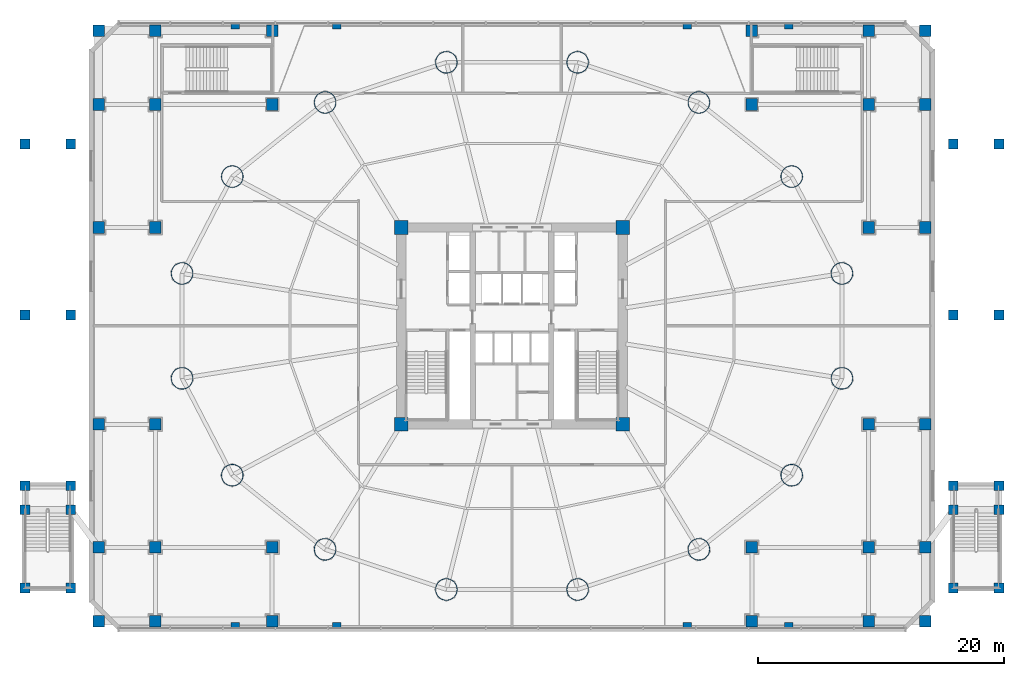
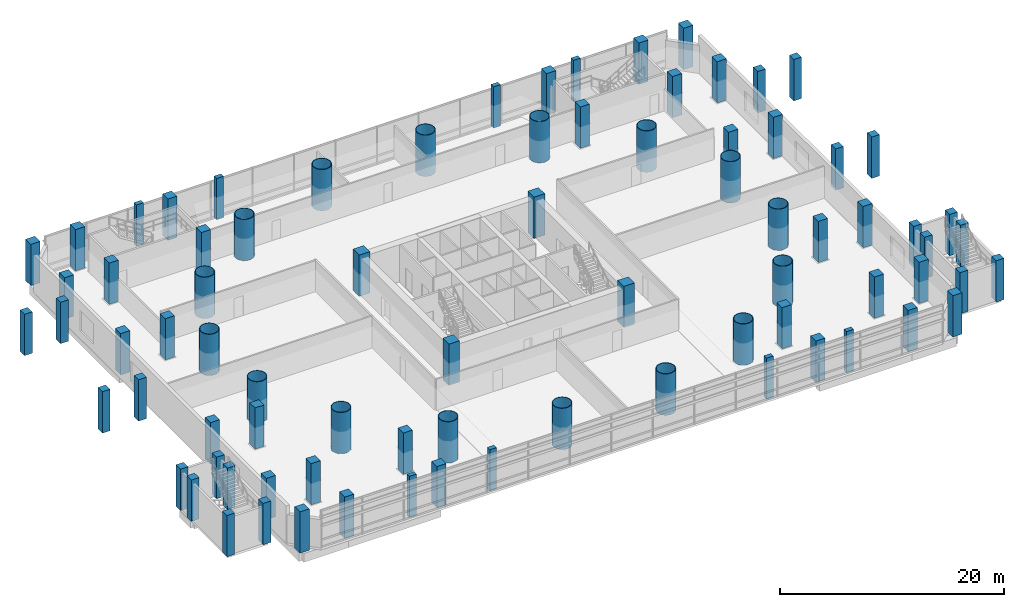
# One storey, part 1 of 36: 80 columns.
"""IFC4 building model written with IfcOpenShell, lengths in metres."""

from ifc_helpers import new_model, si_unit, direction, frame, origin, origin_2d, place, context, subcontext, project, spatial, rectangle, hollow_circle, extrude, material, material_profile, profile_set, type_object, element, save


model = new_model("IFC4")

# Units and contexts
model_context = context("Model", 3, precision=1e-05, world=origin(), true_north=direction((-0.2419218956, 0.970295726276)))
body_context = subcontext(model_context, "Body", "Model", "MODEL_VIEW")
ifc_project = project(units=[si_unit("LENGTHUNIT", "METRE"), si_unit("AREAUNIT", "SQUARE_METRE"), si_unit("VOLUMEUNIT", "CUBIC_METRE"), si_unit("PLANEANGLEUNIT", "RADIAN"), si_unit("MASSUNIT", "GRAM", prefix="KILO")], contexts=[model_context])

# Site, building, storey
site_placement = place(None, origin())
site = spatial("IfcSite", under=ifc_project, at=site_placement, CompositionType="ELEMENT")
building_placement = place(site_placement, origin())
building = spatial("IfcBuilding", under=site, at=building_placement, Name="Cobrevalo Terracotta Tower", CompositionType="ELEMENT")
storey_placement = place(building_placement, frame((0.0, 0.0, 14.39990234375)))
storey = spatial("IfcBuildingStorey", under=building, at=storey_placement, Name="L03", CompositionType="ELEMENT", Elevation=14.39990234375)

# Columns
ifc_material_1 = material(Name="Steel S355", Category="steel")
ifc_material_profile_1 = material_profile(ifc_material_1, hollow_circle(Radius=0.89990234375, WallThickness=0.054931640625, at=origin_2d()), Name="CHS 1800x55")
ifc_profile_set_1 = profile_set([ifc_material_profile_1], Name="Steel S355")
column_type_1 = type_object("IfcColumnType", Name="Structural Column CHS 1800x55 (Steel S355)", PredefinedType="COLUMN", material=ifc_profile_set_1)
for number, where, z_axis, x_axis, name in (
    (1, (64.824462890625, 31.062744140625, 0.0), (0.0, 0.0, 1.0), (1.0, 0.0, 0.0), "L03 composite megacolumn MC01"),
    (2, (60.74072265625, 38.939208984375, 0.0), (0.0, 0.0, 1.0), (1.0, 0.0, 0.0), "L03 composite megacolumn MC02"),
    (3, (53.19482421875, 44.967529296875, 0.0), (0.0, 0.0, 1.0), (1.0, 0.0, 0.0), "L03 composite megacolumn MC03"),
    (4, (43.335693359375, 48.230224609375, 0.0), (0.0, 0.0, 1.0), (1.0, 0.0, 0.0), "L03 composite megacolumn MC04"),
    (5, (32.664306640625, 48.230224609375, 0.0), (0.0, 0.0, 1.0), (1.0, 0.0, 0.0), "L03 composite megacolumn MC05"),
    (6, (22.80517578125, 44.967529296875, 0.0), (0.0, 0.0, 1.0), (1.0, 0.0, 0.0), "L03 composite megacolumn MC06"),
    (7, (15.25927734375, 38.939208984375, 0.0), (0.0, 0.0, 1.0), (1.0, 0.0, 0.0), "L03 composite megacolumn MC07"),
    (8, (11.175537109375, 31.062744140625, 0.0), (0.0, 0.0, 1.0), (1.0, 0.0, 0.0), "L03 composite megacolumn MC08"),
    (9, (11.175537109375, 22.537353515625, 0.0), (0.0, 0.0, 1.0), (1.0, 0.0, 0.0), "L03 composite megacolumn MC09"),
    (10, (15.25927734375, 14.660888671875, 0.0), (0.0, 0.0, 1.0), (1.0, 0.0, 0.0), "L03 composite megacolumn MC10"),
    (11, (22.80517578125, 8.63232421875, 0.0), (0.0, 0.0, 1.0), (1.0, 0.0, 0.0), "L03 composite megacolumn MC11"),
    (12, (32.664306640625, 5.369873046875, 0.0), (0.0, 0.0, 1.0), (1.0, 0.0, 0.0), "L03 composite megacolumn MC12"),
    (13, (43.335693359375, 5.369873046875, 0.0), (0.0, 0.0, 1.0), (1.0, 0.0, 0.0), "L03 composite megacolumn MC13"),
    (14, (53.19482421875, 8.63232421875, 0.0), (0.0, 0.0, 1.0), (1.0, 0.0, 0.0), "L03 composite megacolumn MC14"),
    (15, (60.74072265625, 14.660888671875, 0.0), (0.0, 0.0, 1.0), (1.0, 0.0, 0.0), "L03 composite megacolumn MC15"),
    (16, (64.824462890625, 22.537353515625, 0.0), (0.0, 0.0, 1.0), (1.0, 0.0, 0.0), "L03 composite megacolumn MC16"),
):
    element("IfcColumn", number, at=place(storey_placement, frame(where, z_axis=z_axis, x_axis=x_axis)), inside=storey, type_object=column_type_1, Name=name, PredefinedType="COLUMN", context=body_context, shape_type="SweptSolid", body=[
        extrude(hollow_circle(Radius=0.89990234375, WallThickness=0.054931640625, at=origin_2d()), origin(), (0.0, 0.0, 1.0), 4.5),
    ])
ifc_material_2 = material(Name="Concrete C60", Category="concrete")
ifc_material_profile_2 = material_profile(ifc_material_2, rectangle(XDim=1.10009765625, YDim=1.10009765625, at=origin_2d()), Name="RC COL 1100x1100")
ifc_profile_set_2 = profile_set([ifc_material_profile_2], Name="Concrete C60")
column_type_2 = type_object("IfcColumnType", Name="Structural Column RC COL 1100x1100 (Concrete C60)", PredefinedType="COLUMN", material=ifc_profile_set_2)
for number, where, z_axis, x_axis, name in (
    (17, (29.0, 18.800048828125, 0.0), (0.0, 0.0, 1.0), (1.0, 0.0, 0.0), "L03 core corner column CC1"),
    (18, (47.0, 18.800048828125, 0.0), (0.0, 0.0, 1.0), (1.0, 0.0, 0.0), "L03 core corner column CC2"),
    (19, (47.0, 34.800048828125, 0.0), (0.0, 0.0, 1.0), (1.0, 0.0, 0.0), "L03 core corner column CC3"),
    (20, (29.0, 34.800048828125, 0.0), (0.0, 0.0, 1.0), (1.0, 0.0, 0.0), "L03 core corner column CC4"),
):
    element("IfcColumn", number, at=place(storey_placement, frame(where, z_axis=z_axis, x_axis=x_axis)), inside=storey, type_object=column_type_2, Name=name, PredefinedType="COLUMN", context=body_context, shape_type="SweptSolid", body=[
        extrude(rectangle(XDim=1.10009765625, YDim=1.10009765625, at=origin_2d()), origin(), (0.0, 0.0, 1.0), 4.5),
    ])
ifc_material_3 = material(Name="Concrete C50", Category="concrete")
ifc_material_profile_3 = material_profile(ifc_material_3, rectangle(XDim=0.800048828125, YDim=0.800048828125, at=origin_2d()), Name="RC COL 800x800")
ifc_profile_set_3 = profile_set([ifc_material_profile_3], Name="Concrete C50")
column_type_3 = type_object("IfcColumnType", Name="Structural Column RC COL 800x800 (Concrete C50)", PredefinedType="COLUMN", material=ifc_profile_set_3)
for number, where, z_axis, x_axis, name in (
    (21, (-1.60009765625, 5.5, 0.0), (0.0, 0.0, 1.0), (1.0, 0.0, 0.0), "L03 garden wing column W11"),
    (22, (2.1201171875, 5.5, 0.0), (0.0, 0.0, 1.0), (1.0, 0.0, 0.0), "L03 garden wing column W21"),
    (23, (-1.60009765625, 11.85009765625, 0.0), (0.0, 0.0, 1.0), (1.0, 0.0, 0.0), "L03 garden wing column W12"),
    (24, (2.1201171875, 11.85009765625, 0.0), (0.0, 0.0, 1.0), (1.0, 0.0, 0.0), "L03 garden wing column W22"),
    (25, (-1.60009765625, 13.800048828125, 0.0), (0.0, 0.0, 1.0), (1.0, 0.0, 0.0), "L03 garden wing column W13"),
    (26, (2.1201171875, 13.800048828125, 0.0), (0.0, 0.0, 1.0), (1.0, 0.0, 0.0), "L03 garden wing column W23"),
    (27, (-1.60009765625, 27.699951171875, 0.0), (0.0, 0.0, 1.0), (1.0, 0.0, 0.0), "L03 garden wing column W14"),
    (28, (2.1201171875, 27.699951171875, 0.0), (0.0, 0.0, 1.0), (1.0, 0.0, 0.0), "L03 garden wing column W24"),
    (29, (-1.60009765625, 41.60009765625, 0.0), (0.0, 0.0, 1.0), (1.0, 0.0, 0.0), "L03 garden wing column W15"),
    (30, (2.1201171875, 41.60009765625, 0.0), (0.0, 0.0, 1.0), (1.0, 0.0, 0.0), "L03 garden wing column W25"),
    (31, (73.8798828125, 5.5, 0.0), (0.0, 0.0, 1.0), (1.0, 0.0, 0.0), "L03 garden wing column E11"),
    (32, (77.60009765625, 5.5, 0.0), (0.0, 0.0, 1.0), (1.0, 0.0, 0.0), "L03 garden wing column E21"),
    (33, (73.8798828125, 11.85009765625, 0.0), (0.0, 0.0, 1.0), (1.0, 0.0, 0.0), "L03 garden wing column E12"),
    (34, (77.60009765625, 11.85009765625, 0.0), (0.0, 0.0, 1.0), (1.0, 0.0, 0.0), "L03 garden wing column E22"),
    (35, (73.8798828125, 13.800048828125, 0.0), (0.0, 0.0, 1.0), (1.0, 0.0, 0.0), "L03 garden wing column E13"),
    (36, (77.60009765625, 13.800048828125, 0.0), (0.0, 0.0, 1.0), (1.0, 0.0, 0.0), "L03 garden wing column E23"),
    (37, (73.8798828125, 27.699951171875, 0.0), (0.0, 0.0, 1.0), (1.0, 0.0, 0.0), "L03 garden wing column E14"),
    (38, (77.60009765625, 27.699951171875, 0.0), (0.0, 0.0, 1.0), (1.0, 0.0, 0.0), "L03 garden wing column E24"),
    (39, (73.8798828125, 41.60009765625, 0.0), (0.0, 0.0, 1.0), (1.0, 0.0, 0.0), "L03 garden wing column E15"),
    (40, (77.60009765625, 41.60009765625, 0.0), (0.0, 0.0, 1.0), (1.0, 0.0, 0.0), "L03 garden wing column E25"),
):
    element("IfcColumn", number, at=place(storey_placement, frame(where, z_axis=z_axis, x_axis=x_axis)), inside=storey, type_object=column_type_3, Name=name, PredefinedType="COLUMN", context=body_context, shape_type="SweptSolid", body=[
        extrude(rectangle(XDim=0.800048828125, YDim=0.800048828125, at=origin_2d()), origin(), (0.0, 0.0, 1.0), 4.5),
    ])
ifc_material_4 = material(Name="Concrete C55", Category="concrete")
ifc_material_profile_4 = material_profile(ifc_material_4, rectangle(XDim=0.949951171875, YDim=0.949951171875, at=origin_2d()), Name="RC COL 950x950")
ifc_profile_set_4 = profile_set([ifc_material_profile_4], Name="Concrete C55")
column_type_4 = type_object("IfcColumnType", Name="Structural Column RC COL 950x950 (Concrete C55)", PredefinedType="COLUMN", material=ifc_profile_set_4)
for number, where, z_axis, x_axis, name in (
    (41, (4.39990234375, 2.800048828125, 0.0), (0.0, 0.0, 1.0), (1.0, 0.0, 0.0), "L03 podium column G1-GA"),
    (42, (4.39990234375, 8.800048828125, 0.0), (0.0, 0.0, 1.0), (1.0, 0.0, 0.0), "L03 podium column G1-GB"),
    (43, (4.39990234375, 18.800048828125, 0.0), (0.0, 0.0, 1.0), (1.0, 0.0, 0.0), "L03 podium column G1-GC"),
    (44, (4.39990234375, 34.800048828125, 0.0), (0.0, 0.0, 1.0), (1.0, 0.0, 0.0), "L03 podium column G1-GE"),
    (45, (4.39990234375, 44.800048828125, 0.0), (0.0, 0.0, 1.0), (1.0, 0.0, 0.0), "L03 podium column G1-GF"),
    (46, (4.39990234375, 50.800048828125, 0.0), (0.0, 0.0, 1.0), (1.0, 0.0, 0.0), "L03 podium column G1-GG"),
    (47, (9.0, 2.800048828125, 0.0), (0.0, 0.0, 1.0), (1.0, 0.0, 0.0), "L03 podium column G2-GA"),
    (48, (9.0, 8.800048828125, 0.0), (0.0, 0.0, 1.0), (1.0, 0.0, 0.0), "L03 podium column G2-GB"),
    (49, (9.0, 18.800048828125, 0.0), (0.0, 0.0, 1.0), (1.0, 0.0, 0.0), "L03 podium column G2-GC"),
    (50, (9.0, 34.800048828125, 0.0), (0.0, 0.0, 1.0), (1.0, 0.0, 0.0), "L03 podium column G2-GE"),
    (51, (9.0, 44.800048828125, 0.0), (0.0, 0.0, 1.0), (1.0, 0.0, 0.0), "L03 podium column G2-GF"),
    (52, (9.0, 50.800048828125, 0.0), (0.0, 0.0, 1.0), (1.0, 0.0, 0.0), "L03 podium column G2-GG"),
    (53, (18.5, 2.800048828125, 0.0), (0.0, 0.0, 1.0), (1.0, 0.0, 0.0), "L03 podium column G3-GA"),
    (54, (18.5, 8.800048828125, 0.0), (0.0, 0.0, 1.0), (1.0, 0.0, 0.0), "L03 podium column G3-GB"),
    (55, (18.5, 44.800048828125, 0.0), (0.0, 0.0, 1.0), (1.0, 0.0, 0.0), "L03 podium column G3-GF"),
    (56, (18.5, 50.800048828125, 0.0), (0.0, 0.0, 1.0), (1.0, 0.0, 0.0), "L03 podium column G3-GG"),
    (57, (57.5, 2.800048828125, 0.0), (0.0, 0.0, 1.0), (1.0, 0.0, 0.0), "L03 podium column G7-GA"),
    (58, (57.5, 8.800048828125, 0.0), (0.0, 0.0, 1.0), (1.0, 0.0, 0.0), "L03 podium column G7-GB"),
    (59, (57.5, 44.800048828125, 0.0), (0.0, 0.0, 1.0), (1.0, 0.0, 0.0), "L03 podium column G7-GF"),
    (60, (57.5, 50.800048828125, 0.0), (0.0, 0.0, 1.0), (1.0, 0.0, 0.0), "L03 podium column G7-GG"),
    (61, (67.0, 2.800048828125, 0.0), (0.0, 0.0, 1.0), (1.0, 0.0, 0.0), "L03 podium column G8-GA"),
    (62, (67.0, 8.800048828125, 0.0), (0.0, 0.0, 1.0), (1.0, 0.0, 0.0), "L03 podium column G8-GB"),
    (63, (67.0, 18.800048828125, 0.0), (0.0, 0.0, 1.0), (1.0, 0.0, 0.0), "L03 podium column G8-GC"),
    (64, (67.0, 34.800048828125, 0.0), (0.0, 0.0, 1.0), (1.0, 0.0, 0.0), "L03 podium column G8-GE"),
    (65, (67.0, 44.800048828125, 0.0), (0.0, 0.0, 1.0), (1.0, 0.0, 0.0), "L03 podium column G8-GF"),
    (66, (67.0, 50.800048828125, 0.0), (0.0, 0.0, 1.0), (1.0, 0.0, 0.0), "L03 podium column G8-GG"),
    (67, (71.60009765625, 2.800048828125, 0.0), (0.0, 0.0, 1.0), (1.0, 0.0, 0.0), "L03 podium column G9-GA"),
    (68, (71.60009765625, 8.800048828125, 0.0), (0.0, 0.0, 1.0), (1.0, 0.0, 0.0), "L03 podium column G9-GB"),
    (69, (71.60009765625, 18.800048828125, 0.0), (0.0, 0.0, 1.0), (1.0, 0.0, 0.0), "L03 podium column G9-GC"),
    (70, (71.60009765625, 34.800048828125, 0.0), (0.0, 0.0, 1.0), (1.0, 0.0, 0.0), "L03 podium column G9-GE"),
    (71, (71.60009765625, 44.800048828125, 0.0), (0.0, 0.0, 1.0), (1.0, 0.0, 0.0), "L03 podium column G9-GF"),
    (72, (71.60009765625, 50.800048828125, 0.0), (0.0, 0.0, 1.0), (1.0, 0.0, 0.0), "L03 podium column G9-GG"),
):
    element("IfcColumn", number, at=place(storey_placement, frame(where, z_axis=z_axis, x_axis=x_axis)), inside=storey, type_object=column_type_4, Name=name, PredefinedType="COLUMN", context=body_context, shape_type="SweptSolid", body=[
        extrude(rectangle(XDim=0.949951171875, YDim=0.949951171875, at=origin_2d()), origin(), (0.0, 0.0, 1.0), 4.5),
    ])
ifc_material_profile_5 = material_profile(ifc_material_3, rectangle(XDim=0.699951171875, YDim=0.449951171875, at=origin_2d()), Name="RC PIL 700x450")
ifc_profile_set_5 = profile_set([ifc_material_profile_5], Name="Concrete C50")
column_type_5 = type_object("IfcColumnType", Name="Structural Pilaster RC PIL 700x450 (Concrete C50)", PredefinedType="PILASTER", material=ifc_profile_set_5)
for number, where, z_axis, x_axis, name in (
    (73, (15.5, 2.449951171875, 0.0), (0.0, 0.0, 1.0), (1.0, 0.0, 0.0), "L03 brutalist perimeter pilaster S1"),
    (74, (15.5, 51.14990234375, 0.0), (0.0, 0.0, 1.0), (1.0, 0.0, 0.0), "L03 brutalist perimeter pilaster N1"),
    (75, (23.75, 2.449951171875, 0.0), (0.0, 0.0, 1.0), (1.0, 0.0, 0.0), "L03 brutalist perimeter pilaster S2"),
    (76, (23.75, 51.14990234375, 0.0), (0.0, 0.0, 1.0), (1.0, 0.0, 0.0), "L03 brutalist perimeter pilaster N2"),
    (77, (52.25, 2.449951171875, 0.0), (0.0, 0.0, 1.0), (1.0, 0.0, 0.0), "L03 brutalist perimeter pilaster S3"),
    (78, (52.25, 51.14990234375, 0.0), (0.0, 0.0, 1.0), (1.0, 0.0, 0.0), "L03 brutalist perimeter pilaster N3"),
    (79, (60.5, 2.449951171875, 0.0), (0.0, 0.0, 1.0), (1.0, 0.0, 0.0), "L03 brutalist perimeter pilaster S4"),
    (80, (60.5, 51.14990234375, 0.0), (0.0, 0.0, 1.0), (1.0, 0.0, 0.0), "L03 brutalist perimeter pilaster N4"),
):
    element("IfcColumn", number, at=place(storey_placement, frame(where, z_axis=z_axis, x_axis=x_axis)), inside=storey, type_object=column_type_5, Name=name, PredefinedType="PILASTER", context=body_context, shape_type="SweptSolid", body=[
        extrude(rectangle(XDim=0.699951171875, YDim=0.449951171875, at=origin_2d()), origin(), (0.0, 0.0, 1.0), 4.5),
    ])

save(model, "model.ifc")
